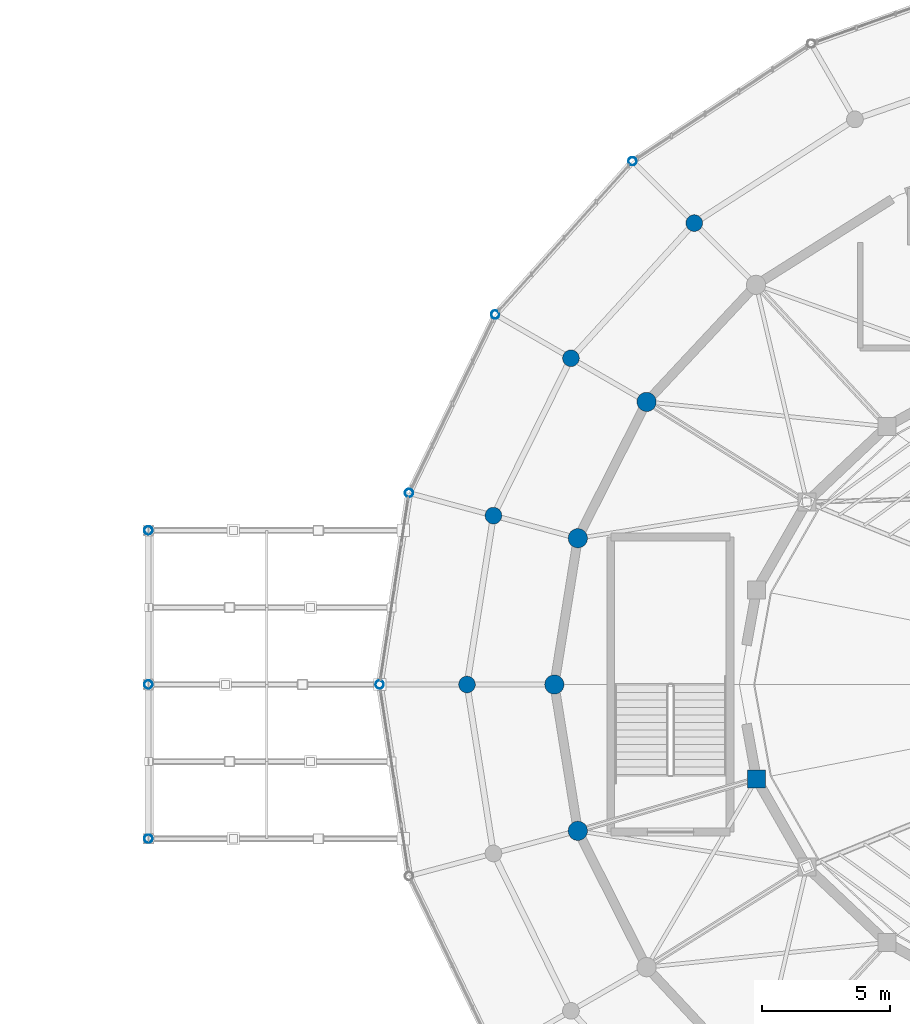
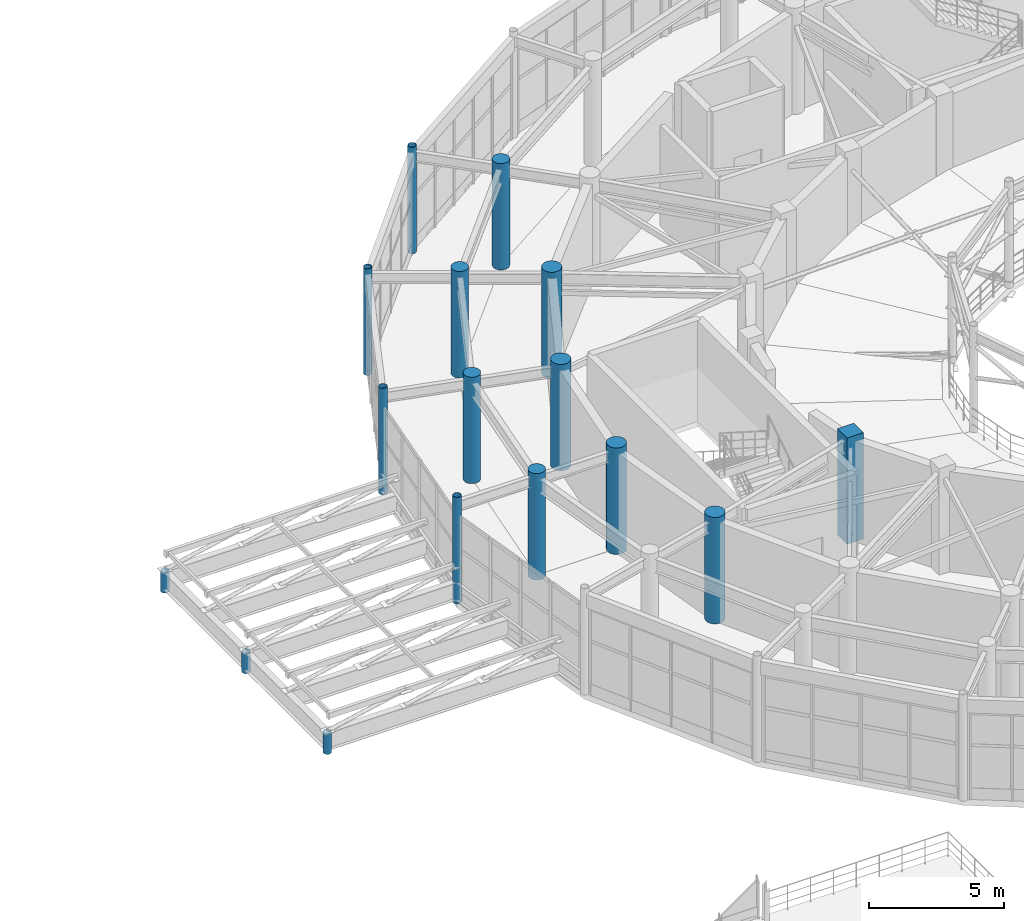
# One storey, part 10 of 144: 16 columns.
"""IFC4 building model written with IfcOpenShell, lengths in metres."""

from ifc_helpers import new_model, si_unit, direction, frame, origin, origin_2d, place, context, subcontext, project, spatial, rectangle, circle, hollow_circle, extrude, material, material_profile, profile_set, type_object, element, save


model = new_model("IFC4")

# Units and contexts
model_context = context("Model", 3, precision=1e-05, world=origin(), true_north=direction((0.0, 1.0)))
body_context = subcontext(model_context, "Body", "Model", "MODEL_VIEW")
ifc_project = project(units=[si_unit("LENGTHUNIT", "METRE"), si_unit("AREAUNIT", "SQUARE_METRE"), si_unit("VOLUMEUNIT", "CUBIC_METRE"), si_unit("PLANEANGLEUNIT", "RADIAN"), si_unit("MASSUNIT", "GRAM", prefix="KILO")], contexts=[model_context])

# Site, building, storey
site_placement = place(None, origin())
site = spatial("IfcSite", under=ifc_project, at=site_placement, CompositionType="ELEMENT")
building_placement = place(site_placement, origin())
building = spatial("IfcBuilding", under=site, at=building_placement, Name="Cinderbank Siding Concert Hall", CompositionType="ELEMENT")
storey_placement = place(building_placement, frame((0.0, 0.0, 5.39990234375)))
storey = spatial("IfcBuildingStorey", under=building, at=storey_placement, Name="L02", CompositionType="ELEMENT", Elevation=5.39990234375)

# Columns
ifc_material_1 = material(Name="Structural steel hollow section AS/NZS 1163 Grade C350L0 (350 MPa)", Category="steel")
ifc_material_profile_1 = material_profile(ifc_material_1, hollow_circle(Radius=0.161865234375, WallThickness=0.0126953125, at=origin_2d()), Name="323.9x12.7CHS", Category="LoadBearing")
ifc_profile_set_1 = profile_set([ifc_material_profile_1], Name="Structural steel hollow section AS/NZS 1163 Grade C350L0 (350 MPa)")
column_type_1 = type_object("IfcColumnType", Name="C-CHS323 323.9x12.7CHS", PredefinedType="COLUMN", material=ifc_profile_set_1)
for number, where, z_axis, x_axis, name in (
    (1, (98.240966796875, 64.364990234375, 0.0), (0.0, 0.0, 1.0), (1.0, 0.0, 0.0), "L02 Column COL-E4-10"),
    (2, (92.90087890625, 58.39990234375, 0.0), (0.0, 0.0, 1.0), (1.0, 0.0, 0.0), "L02 Column COL-E4-11"),
    (3, (89.544921875, 51.4541015625, 0.0), (0.0, 0.0, 1.0), (1.0, 0.0, 0.0), "L02 Column COL-E4-12"),
    (4, (88.39990234375, 44.0, 0.0), (0.0, 0.0, 1.0), (1.0, 0.0, 0.0), "L02 Column COL-E4-13"),
):
    element("IfcColumn", number, at=place(storey_placement, frame(where, z_axis=z_axis, x_axis=x_axis)), inside=storey, type_object=column_type_1, Name=name, PredefinedType="COLUMN", context=body_context, shape_type="SweptSolid", body=[
        extrude(hollow_circle(Radius=0.161865234375, WallThickness=0.0126953125, at=origin_2d()), origin(), (0.0, 0.0, 1.0), 4.800048828125),
    ])
for number, where, z_axis, x_axis, name in (
    (5, (79.39990234375, 38.0, 0.0), (0.0, 0.0, 1.0), (1.0, 0.0, 0.0), "L02 Column COL-CNP-01"),
    (6, (79.39990234375, 44.0, 0.0), (0.0, 0.0, 1.0), (1.0, 0.0, 0.0), "L02 Column COL-CNP-02"),
    (7, (79.39990234375, 50.0, 0.0), (0.0, 0.0, 1.0), (1.0, 0.0, 0.0), "L02 Column COL-CNP-03"),
):
    element("IfcColumn", number, at=place(storey_placement, frame(where, z_axis=z_axis, x_axis=x_axis)), inside=storey, type_object=column_type_1, Name=name, PredefinedType="COLUMN", context=body_context, shape_type="SweptSolid", body=[
        extrude(hollow_circle(Radius=0.161865234375, WallThickness=0.0126953125, at=origin_2d()), origin(), (0.0, 0.0, 1.0), 0.93017578125),
    ])
ifc_material_2 = material(Name="Reinforced concrete AS 3600 N50 (50 MPa)", Category="concrete")
ifc_material_profile_2 = material_profile(ifc_material_2, rectangle(XDim=0.699951171875, YDim=0.699951171875, at=origin_2d()), Name="RC-COL-700x700", Category="LoadBearing")
ifc_profile_set_2 = profile_set([ifc_material_profile_2], Name="Reinforced concrete AS 3600 N50 (50 MPa)")
column_type_2 = type_object("IfcColumnType", Name="C-RC700 RC-COL-700x700", PredefinedType="COLUMN", material=ifc_profile_set_2)
column_placement = place(storey_placement, frame((103.068115234375, 40.324951171875, 0.0), z_axis=(0.0, 0.0, 1.0), x_axis=(1.0, 0.0, 0.0)))
element("IfcColumn", 8, at=column_placement, inside=storey, type_object=column_type_2, Name="L02 Column COL-E1-14", PredefinedType="COLUMN", context=body_context, shape_type="SweptSolid", body=[
    extrude(rectangle(XDim=0.699951171875, YDim=0.699951171875, at=origin_2d()), origin(), (0.0, 0.0, 1.0), 4.800048828125),
])
ifc_material_profile_3 = material_profile(ifc_material_2, circle(Radius=0.324951171875, at=origin_2d()), Name="RC-COL-650DIA", Category="LoadBearing")
ifc_profile_set_3 = profile_set([ifc_material_profile_3], Name="Reinforced concrete AS 3600 N50 (50 MPa)")
column_type_3 = type_object("IfcColumnType", Name="C-RCD650 RC-COL-650DIA", PredefinedType="COLUMN", material=ifc_profile_set_3)
for number, where, z_axis, x_axis, name in (
    (9, (100.64501953125, 61.9609375, 0.0), (0.0, 0.0, 1.0), (1.0, 0.0, 0.0), "L02 Column COL-E3-10"),
    (10, (95.845947265625, 56.699951171875, 0.0), (0.0, 0.0, 1.0), (1.0, 0.0, 0.0), "L02 Column COL-E3-11"),
    (11, (92.8291015625, 50.573974609375, 0.0), (0.0, 0.0, 1.0), (1.0, 0.0, 0.0), "L02 Column COL-E3-12"),
    (12, (91.800048828125, 44.0, 0.0), (0.0, 0.0, 1.0), (1.0, 0.0, 0.0), "L02 Column COL-E3-13"),
):
    element("IfcColumn", number, at=place(storey_placement, frame(where, z_axis=z_axis, x_axis=x_axis)), inside=storey, type_object=column_type_3, Name=name, PredefinedType="COLUMN", context=body_context, shape_type="SweptSolid", body=[
        extrude(circle(Radius=0.324951171875, at=origin_2d()), origin(), (0.0, 0.0, 1.0), 4.800048828125),
    ])
ifc_material_profile_4 = material_profile(ifc_material_2, circle(Radius=0.375, at=origin_2d()), Name="RC-COL-750DIA", Category="LoadBearing")
ifc_profile_set_4 = profile_set([ifc_material_profile_4], Name="Reinforced concrete AS 3600 N50 (50 MPa)")
column_type_4 = type_object("IfcColumnType", Name="C-RCD750 RC-COL-750DIA", PredefinedType="COLUMN", material=ifc_profile_set_4)
for number, where, z_axis, x_axis, name in (
    (13, (98.7900390625, 55.0, 0.0), (0.0, 0.0, 1.0), (1.0, 0.0, 0.0), "L02 Column COL-E2-11"),
    (14, (96.113037109375, 49.694091796875, 0.0), (0.0, 0.0, 1.0), (1.0, 0.0, 0.0), "L02 Column COL-E2-12"),
    (15, (95.199951171875, 44.0, 0.0), (0.0, 0.0, 1.0), (1.0, 0.0, 0.0), "L02 Column COL-E2-13"),
    (16, (96.113037109375, 38.305908203125, 0.0), (0.0, 0.0, 1.0), (1.0, 0.0, 0.0), "L02 Column COL-E2-14"),
):
    element("IfcColumn", number, at=place(storey_placement, frame(where, z_axis=z_axis, x_axis=x_axis)), inside=storey, type_object=column_type_4, Name=name, PredefinedType="COLUMN", context=body_context, shape_type="SweptSolid", body=[
        extrude(circle(Radius=0.375, at=origin_2d()), origin(), (0.0, 0.0, 1.0), 4.800048828125),
    ])

save(model, "model.ifc")
